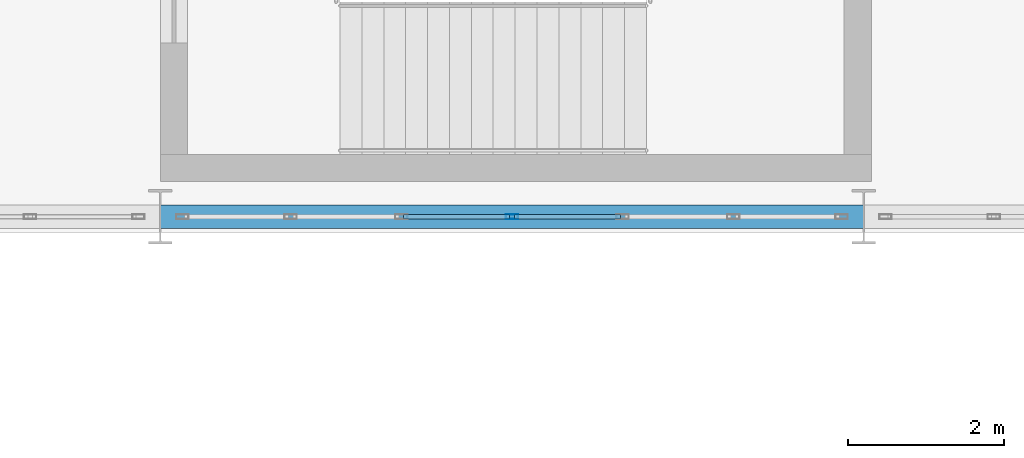
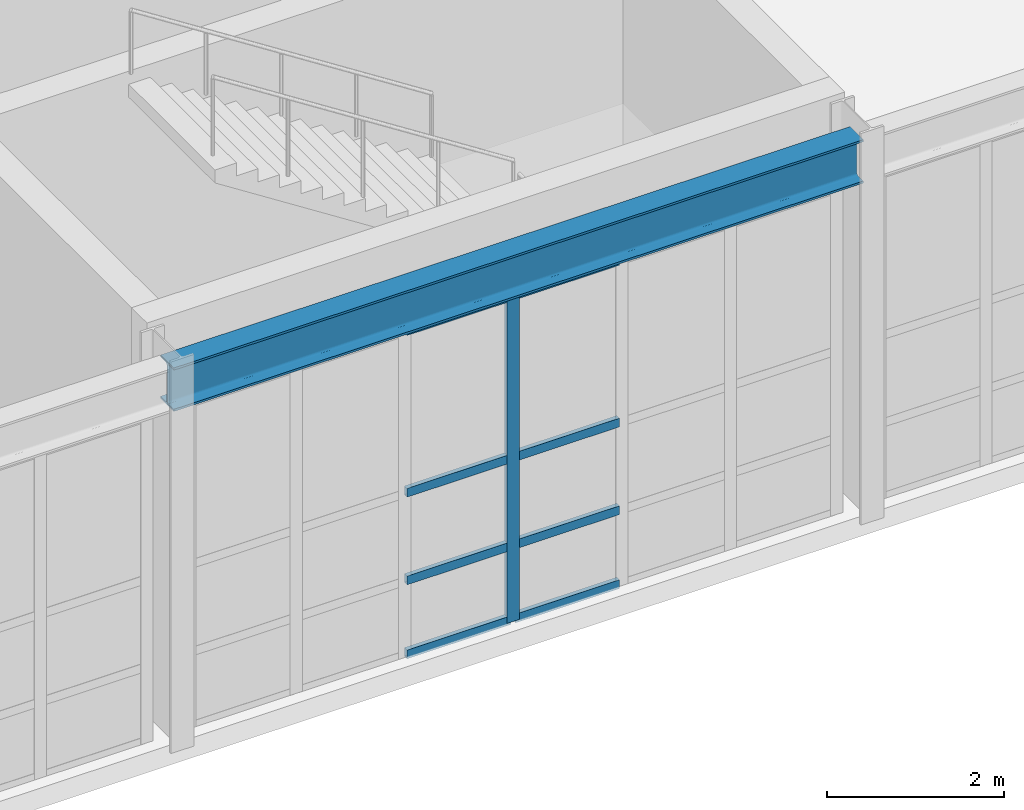
# One storey, part 59 of 210: 9 members, 1 beam, 1 element without a shape of its own.
"""IFC4 building model written with IfcOpenShell, lengths in metres."""

from ifc_helpers import new_model, si_unit, direction, frame, origin, origin_2d, place, context, subcontext, project, spatial, hollow_rectangle, i_section, extrude, material, material_profile, profile_set, type_object, element, aggregate, save


model = new_model("IFC4")

# Units and contexts
model_context = context("Model", 3, precision=1e-05, world=origin(), true_north=direction((0.0, 1.0)))
body_context = subcontext(model_context, "Body", "Model", "MODEL_VIEW")
ifc_project = project(units=[si_unit("LENGTHUNIT", "METRE"), si_unit("AREAUNIT", "SQUARE_METRE"), si_unit("VOLUMEUNIT", "CUBIC_METRE"), si_unit("PLANEANGLEUNIT", "RADIAN"), si_unit("MASSUNIT", "GRAM", prefix="KILO")], contexts=[model_context])

# Site, building, storey
site_placement = place(None, origin())
site = spatial("IfcSite", under=ifc_project, at=site_placement, CompositionType="ELEMENT")
building_placement = place(site_placement, origin())
building = spatial("IfcBuilding", under=site, at=building_placement, Name="Kaldris Quays Convention Centre", CompositionType="ELEMENT")
storey_placement = place(building_placement, frame((0.0, 0.0, 6.0)))
storey = spatial("IfcBuildingStorey", under=building, at=storey_placement, Name="L01", CompositionType="ELEMENT", Elevation=6.0)

# Curtain wall, members
ifc_material_1 = material(Name="Anodized aluminium AW-6060 and triple glazing", Category="aluminium")
curtain_wall_type = type_object("IfcCurtainWallType", Name="UNITISED CURTAIN WALL CW04", PredefinedType="NOTDEFINED", material=ifc_material_1)
curtain_wall_placement = place(storey_placement, origin())
curtain_wall = element("IfcCurtainWall", 1, at=curtain_wall_placement, inside=storey, type_object=curtain_wall_type, Name="L01 Unitised Curtain Wall CW04 110", PredefinedType="NOTDEFINED")
ifc_material_2 = material(Name="Anodized aluminium AW-6060", Category="aluminium")
ifc_material_profile_1 = material_profile(ifc_material_2, hollow_rectangle(XDim=0.06005859375, YDim=0.159912109375, WallThickness=0.00390625, at=origin_2d()), Name="RHS 160x60x4")
ifc_profile_set_1 = profile_set([ifc_material_profile_1], Name="Anodized aluminium AW-6060")
member_type_1 = type_object("IfcMemberType", Name="CURTAIN MULLION CWM1", PredefinedType="MULLION", material=ifc_profile_set_1)
member_1_placement = place(storey_placement, frame((114.5, 38.0, 0.0), z_axis=(0.0, 0.0, 1.0), x_axis=(0.0, 1.0, 0.0)))
member_1 = element("IfcMember", 2, at=member_1_placement, type_object=member_type_1, Name="CW04 mullion 4", PredefinedType="MULLION", context=body_context, shape_type="SweptSolid", body=[
    extrude(hollow_rectangle(XDim=0.06005859375, YDim=0.159912109375, WallThickness=0.00390625, at=origin_2d()), origin(), (0.0, 0.0, 1.0), 4.51806640625),
])
ifc_material_profile_2 = material_profile(ifc_material_2, hollow_rectangle(XDim=0.06005859375, YDim=0.1201171875, WallThickness=0.00390625, at=origin_2d()), Name="RHS 120x60x4")
ifc_profile_set_2 = profile_set([ifc_material_profile_2], Name="Anodized aluminium AW-6060")
member_type_2 = type_object("IfcMemberType", Name="CURTAIN TRANSOM CWT1", PredefinedType="USERDEFINED", material=ifc_profile_set_2)
member_2_placement = place(storey_placement, frame((113.11328125, 38.0, 0.030029296875), z_axis=(1.0, 0.0, 0.0), x_axis=(0.0, 1.0, 0.0)))
member_2 = element("IfcMember", 3, at=member_2_placement, type_object=member_type_2, Name="CW04 transom 3.1", ObjectType="TRANSOM", PredefinedType="USERDEFINED", context=body_context, shape_type="SweptSolid", body=[
    extrude(hollow_rectangle(XDim=0.06005859375, YDim=0.1201171875, WallThickness=0.00390625, at=origin_2d()), origin(), (0.0, 0.0, 1.0), 1.356689453125),
])
member_3_placement = place(storey_placement, frame((113.11328125, 38.0, 1.050048828125), z_axis=(1.0, 0.0, 0.0), x_axis=(0.0, 1.0, 0.0)))
member_3 = element("IfcMember", 4, at=member_3_placement, type_object=member_type_2, Name="CW04 transom 3.2", ObjectType="TRANSOM", PredefinedType="USERDEFINED", context=body_context, shape_type="SweptSolid", body=[
    extrude(hollow_rectangle(XDim=0.06005859375, YDim=0.1201171875, WallThickness=0.00390625, at=origin_2d()), origin(), (0.0, 0.0, 1.0), 1.356689453125),
])
member_4_placement = place(storey_placement, frame((113.11328125, 38.0, 2.259033203125), z_axis=(1.0, 0.0, 0.0), x_axis=(0.0, 1.0, 0.0)))
member_4 = element("IfcMember", 5, at=member_4_placement, type_object=member_type_2, Name="CW04 transom 3.3", ObjectType="TRANSOM", PredefinedType="USERDEFINED", context=body_context, shape_type="SweptSolid", body=[
    extrude(hollow_rectangle(XDim=0.06005859375, YDim=0.1201171875, WallThickness=0.00390625, at=origin_2d()), origin(), (0.0, 0.0, 1.0), 1.356689453125),
])
member_5_placement = place(storey_placement, frame((113.11328125, 38.0, 4.488037109375), z_axis=(1.0, 0.0, 0.0), x_axis=(0.0, 1.0, 0.0)))
member_5 = element("IfcMember", 6, at=member_5_placement, type_object=member_type_2, Name="CW04 transom 3.4", ObjectType="TRANSOM", PredefinedType="USERDEFINED", context=body_context, shape_type="SweptSolid", body=[
    extrude(hollow_rectangle(XDim=0.06005859375, YDim=0.1201171875, WallThickness=0.00390625, at=origin_2d()), origin(), (0.0, 0.0, 1.0), 1.356689453125),
])
member_6_placement = place(storey_placement, frame((114.530029296875, 38.0, 0.030029296875), z_axis=(1.0, 0.0, 0.0), x_axis=(0.0, 1.0, 0.0)))
member_6 = element("IfcMember", 7, at=member_6_placement, type_object=member_type_2, Name="CW04 transom 4.1", ObjectType="TRANSOM", PredefinedType="USERDEFINED", context=body_context, shape_type="SweptSolid", body=[
    extrude(hollow_rectangle(XDim=0.06005859375, YDim=0.1201171875, WallThickness=0.00390625, at=origin_2d()), origin(), (0.0, 0.0, 1.0), 1.356689453125),
])
member_7_placement = place(storey_placement, frame((114.530029296875, 38.0, 1.050048828125), z_axis=(1.0, 0.0, 0.0), x_axis=(0.0, 1.0, 0.0)))
member_7 = element("IfcMember", 8, at=member_7_placement, type_object=member_type_2, Name="CW04 transom 4.2", ObjectType="TRANSOM", PredefinedType="USERDEFINED", context=body_context, shape_type="SweptSolid", body=[
    extrude(hollow_rectangle(XDim=0.06005859375, YDim=0.1201171875, WallThickness=0.00390625, at=origin_2d()), origin(), (0.0, 0.0, 1.0), 1.356689453125),
])
member_8_placement = place(storey_placement, frame((114.530029296875, 38.0, 2.259033203125), z_axis=(1.0, 0.0, 0.0), x_axis=(0.0, 1.0, 0.0)))
member_8 = element("IfcMember", 9, at=member_8_placement, type_object=member_type_2, Name="CW04 transom 4.3", ObjectType="TRANSOM", PredefinedType="USERDEFINED", context=body_context, shape_type="SweptSolid", body=[
    extrude(hollow_rectangle(XDim=0.06005859375, YDim=0.1201171875, WallThickness=0.00390625, at=origin_2d()), origin(), (0.0, 0.0, 1.0), 1.356689453125),
])
member_9_placement = place(storey_placement, frame((114.530029296875, 38.0, 4.488037109375), z_axis=(1.0, 0.0, 0.0), x_axis=(0.0, 1.0, 0.0)))
member_9 = element("IfcMember", 10, at=member_9_placement, type_object=member_type_2, Name="CW04 transom 4.4", ObjectType="TRANSOM", PredefinedType="USERDEFINED", context=body_context, shape_type="SweptSolid", body=[
    extrude(hollow_rectangle(XDim=0.06005859375, YDim=0.1201171875, WallThickness=0.00390625, at=origin_2d()), origin(), (0.0, 0.0, 1.0), 1.356689453125),
])
aggregate(curtain_wall, [member_1, member_2, member_3, member_4, member_5, member_6, member_7, member_8, member_9])

# Beam
ifc_material_3 = material(Name="Steel S355J2", Category="steel")
ifc_material_profile_3 = material_profile(ifc_material_3, i_section(OverallWidth=0.300048828125, OverallDepth=0.60009765625, WebThickness=0.015380859375, FlangeThickness=0.030029296875, FilletRadius=0.027099609375, at=origin_2d()), Name="HEB 600")
ifc_profile_set_3 = profile_set([ifc_material_profile_3], Name="Steel S355J2")
beam_type = type_object("IfcBeamType", Name="STRUCTURAL BEAM BM05", PredefinedType="BEAM", material=ifc_profile_set_3)
beam_placement = place(storey_placement, frame((110.00244140625, 38.0, 4.843017578125), z_axis=(1.0, 0.0, 0.0), x_axis=(0.0, 1.0, 0.0)))
element("IfcBeam", 11, at=beam_placement, inside=storey, type_object=beam_type, Name="L01 Girder BM05 4", PredefinedType="BEAM", context=body_context, shape_type="SweptSolid", body=[
    extrude(i_section(OverallWidth=0.300048828125, OverallDepth=0.60009765625, WebThickness=0.015380859375, FlangeThickness=0.030029296875, FilletRadius=0.027099609375, at=origin_2d()), origin(), (0.0, 0.0, 1.0), 8.9951171875),
])

save(model, "model.ifc")
